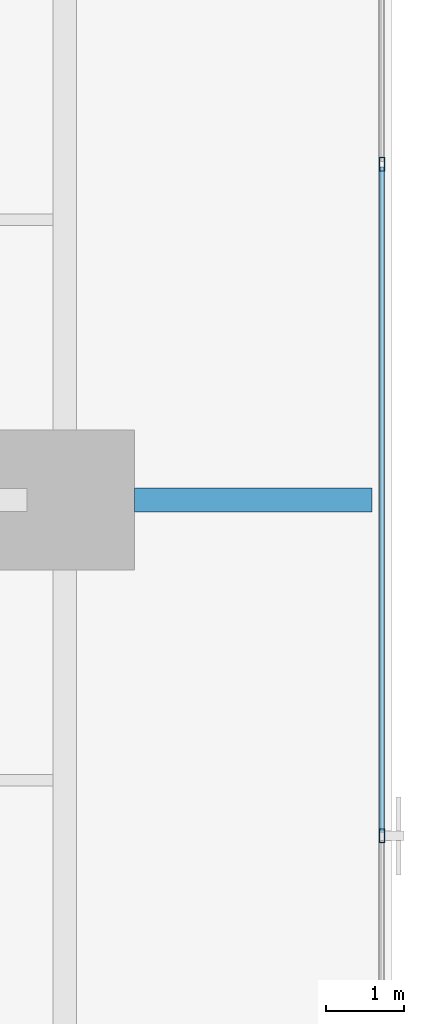
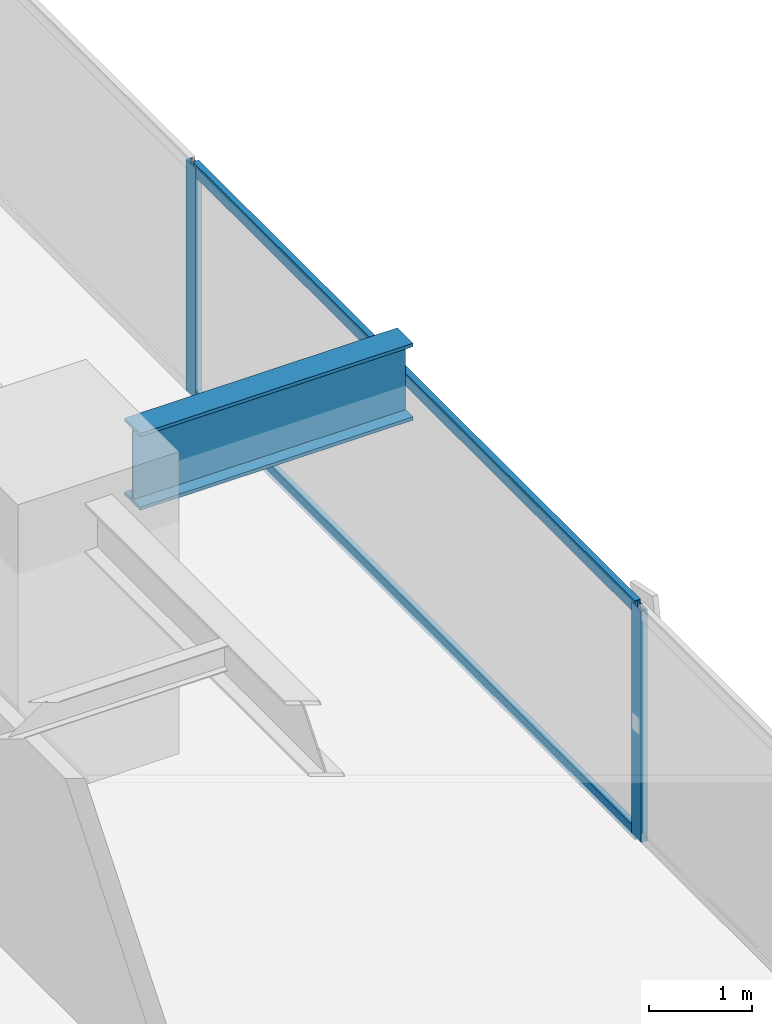
# One storey, part 15 of 34: 4 members, 1 beam, 1 element without a shape of its own.
"""IFC4 building model written with IfcOpenShell, lengths in metres."""

from ifc_helpers import new_model, si_unit, direction, frame, origin, origin_2d, place, context, subcontext, project, spatial, hollow_rectangle, i_section, extrude, source, transform, mapped, material, layer, layer_set, material_profile, profile_set, type_object, element, aggregate, save


model = new_model("IFC4")

# Units and contexts
model_context = context("Model", 3, precision=1e-05, world=origin(), true_north=direction((0.0, 1.0)))
body_context = subcontext(model_context, "Body", "Model", "MODEL_VIEW")
ifc_project = project(units=[si_unit("LENGTHUNIT", "METRE"), si_unit("AREAUNIT", "SQUARE_METRE"), si_unit("VOLUMEUNIT", "CUBIC_METRE"), si_unit("PLANEANGLEUNIT", "RADIAN"), si_unit("MASSUNIT", "GRAM", prefix="KILO")], contexts=[model_context])

# Site, building, storey
site_placement = place(None, origin())
site = spatial("IfcSite", under=ifc_project, at=site_placement, CompositionType="ELEMENT")
building_placement = place(site_placement, origin())
building = spatial("IfcBuilding", under=site, at=building_placement, Name="Sumidabori Civic Tower", CompositionType="ELEMENT")
storey_placement = place(building_placement, frame((0.0, 0.0, 56.0)))
storey = spatial("IfcBuildingStorey", under=building, at=storey_placement, Name="L14", CompositionType="ELEMENT", Elevation=56.0)

# Beam
ifc_material_1 = material(Name="Steel SN490", Category="steel")
ifc_material_profile_1 = material_profile(ifc_material_1, i_section(OverallWidth=0.302001953125, OverallDepth=0.909912109375, WebThickness=0.02099609375, FlangeThickness=0.0400390625, at=origin_2d()), Name="HE 900 M")
ifc_profile_set_1 = profile_set([ifc_material_profile_1], Name="Steel SN490")
beam_type = type_object("IfcBeamType", Name="BM-Z1-EDGE", PredefinedType="SPANDREL", material=ifc_profile_set_1)
shared_shape_1 = source(origin(), body_context, "Body", "SweptSolid", [
    extrude(i_section(OverallWidth=0.302001953125, OverallDepth=0.909912109375, WebThickness=0.02099609375, FlangeThickness=0.0400390625, at=origin_2d()), origin(), (0.0, 0.0, 1.0), 3.050048828125),
])
beam_placement = place(storey_placement, frame((23.699951171875, 0.0, 2.905029296875), z_axis=(1.0, 0.0, 0.0), x_axis=(0.0, 1.0, 0.0)))
element("IfcBeam", 1, at=beam_placement, inside=storey, type_object=beam_type, Name="Perimeter Overhang Beam L14 E-45", PredefinedType="SPANDREL", context=body_context, shape_type="MappedRepresentation", body=[
    mapped(shared_shape_1, transform((0.0, 0.0, 0.0), x_axis=(1.0, 0.0, 0.0), y_axis=(0.0, 1.0, 0.0), z_axis=(0.0, 0.0, 1.0), scale=1.0)),
])

# Curtain wall, members
ifc_material_2 = material(Name="Anodised Bronze Aluminium AW-6063-T6", Category="aluminium")
ifc_layer = layer(ifc_material_2, 0.179931640625, Name="Anodised Bronze Aluminium AW-6063-T6")
ifc_layer_set = layer_set([ifc_layer], Name="Anodised Bronze Aluminium AW-6063-T6")
curtain_wall_type = type_object("IfcCurtainWallType", Name="CW-SYS-2", PredefinedType="NOTDEFINED", material=ifc_layer_set)
curtain_wall_placement = place(storey_placement, origin())
curtain_wall = element("IfcCurtainWall", 2, at=curtain_wall_placement, inside=storey, type_object=curtain_wall_type, Name="Curtain Wall CW:L14:R04", PredefinedType="NOTDEFINED")
ifc_material_profile_2 = material_profile(ifc_material_2, hollow_rectangle(XDim=0.070068359375, YDim=0.179931640625, WallThickness=0.006103515625, at=origin_2d()), Name="ALU MULLION 180x70")
ifc_profile_set_2 = profile_set([ifc_material_profile_2], Name="Anodised Bronze Aluminium AW-6063-T6")
member_type_1 = type_object("IfcMemberType", Name="CW-MUL-180", PredefinedType="MULLION", material=ifc_profile_set_2)
shared_shape_2 = source(origin(), body_context, "Body", "SweptSolid", [
    extrude(hollow_rectangle(XDim=0.070068359375, YDim=0.179931640625, WallThickness=0.006103515625, at=origin_2d()), origin(), (0.0, 0.0, 1.0), 2.739990234375),
])
member_1_placement = place(storey_placement, frame((26.8798828125, -4.31396484375, 0.0), z_axis=(0.0, 0.0, 1.0), x_axis=(-1.0, 0.0, 0.0)))
member_1 = element("IfcMember", 3, at=member_1_placement, type_object=member_type_1, Name="CW-2 mullion 3", PredefinedType="MULLION", context=body_context, shape_type="MappedRepresentation", body=[
    mapped(shared_shape_2, transform((0.0, 0.0, 0.0), x_axis=(1.0, 0.0, 0.0), y_axis=(0.0, 1.0, 0.0), z_axis=(0.0, 0.0, 1.0), scale=1.0)),
])
member_2_placement = place(storey_placement, frame((26.8798828125, 4.31396484375, 0.0), z_axis=(0.0, 0.0, 1.0), x_axis=(-1.0, 0.0, 0.0)))
member_2 = element("IfcMember", 4, at=member_2_placement, type_object=member_type_1, Name="CW-2 mullion 4", PredefinedType="MULLION", context=body_context, shape_type="MappedRepresentation", body=[
    mapped(shared_shape_2, transform((0.0, 0.0, 0.0), x_axis=(1.0, 0.0, 0.0), y_axis=(0.0, 1.0, 0.0), z_axis=(0.0, 0.0, 1.0), scale=1.0)),
])
ifc_material_profile_3 = material_profile(ifc_material_2, hollow_rectangle(XDim=0.06494140625, YDim=0.14990234375, WallThickness=0.0048828125, at=origin_2d()), Name="ALU TRANSOM 150x65")
ifc_profile_set_3 = profile_set([ifc_material_profile_3], Name="Anodised Bronze Aluminium AW-6063-T6")
member_type_2 = type_object("IfcMemberType", Name="CW-TRN-150", PredefinedType="USERDEFINED", material=ifc_profile_set_3)
shared_shape_3 = source(origin(), body_context, "Body", "SweptSolid", [
    extrude(hollow_rectangle(XDim=0.06494140625, YDim=0.14990234375, WallThickness=0.0048828125, at=origin_2d()), origin(), (0.0, 0.0, 1.0), 8.55810546875),
])
member_3_placement = place(storey_placement, frame((26.8798828125, -4.279052734375, 0.032470703125), z_axis=(0.0, 1.0, 0.0), x_axis=(-1.0, 0.0, 0.0)))
member_3 = element("IfcMember", 5, at=member_3_placement, type_object=member_type_2, Name="CW-2 transom 3.1", ObjectType="TRANSOM", PredefinedType="USERDEFINED", context=body_context, shape_type="MappedRepresentation", body=[
    mapped(shared_shape_3, transform((0.0, 0.0, 0.0), x_axis=(1.0, 0.0, 0.0), y_axis=(0.0, 1.0, 0.0), z_axis=(0.0, 0.0, 1.0), scale=1.0)),
])
member_4_placement = place(storey_placement, frame((26.8798828125, -4.279052734375, 2.70751953125), z_axis=(0.0, 1.0, 0.0), x_axis=(-1.0, 0.0, 0.0)))
member_4 = element("IfcMember", 6, at=member_4_placement, type_object=member_type_2, Name="CW-2 transom 3.2", ObjectType="TRANSOM", PredefinedType="USERDEFINED", context=body_context, shape_type="MappedRepresentation", body=[
    mapped(shared_shape_3, transform((0.0, 0.0, 0.0), x_axis=(1.0, 0.0, 0.0), y_axis=(0.0, 1.0, 0.0), z_axis=(0.0, 0.0, 1.0), scale=1.0)),
])
aggregate(curtain_wall, [member_1, member_2, member_3, member_4])

save(model, "model.ifc")
